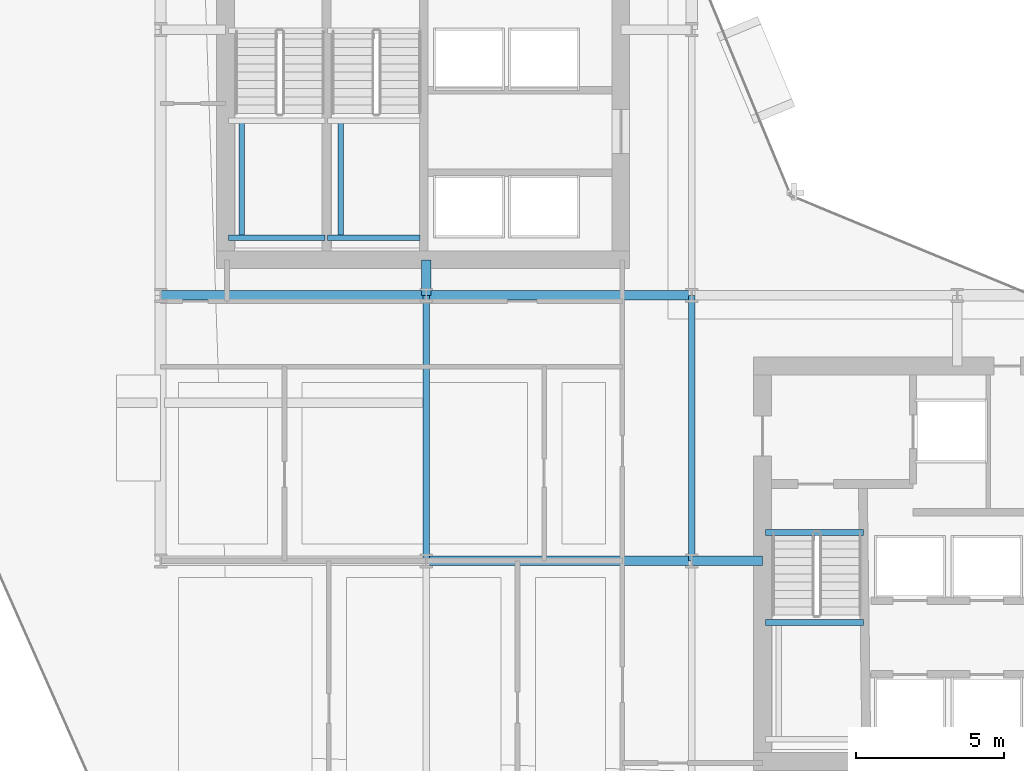
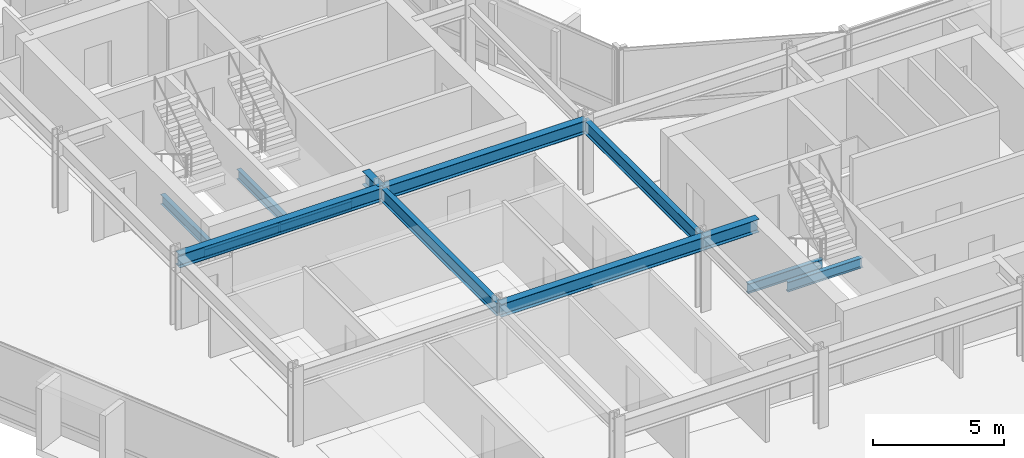
# One storey, part 7 of 34: 13 beams.
"""IFC4 building model written with IfcOpenShell, lengths in metres."""

import ifcopenshell
import ifcopenshell.guid

model = None  # the IFC model being written
_history = None  # IfcOwnerHistory: only IFC2X3 demands one
_inside = {}  # id of a spatial element -> (the spatial element, [elements in it])
_under = {}  # id of a project, library or spatial element -> (it, [spatial elements below it])
_declared = {}  # id of a project -> (the project, [libraries it declares])
_typed = {}  # id of a type object -> (the type object, [elements of that type])
_made_of = {}  # id of a material, layer set ... -> (it, [elements and type objects made of it])


def new_model(schema):
    """Start an empty IFC model of exactly this schema.

    Asked for "IFC4X3", IfcOpenShell would pick the latest addendum, in which some entities
    have other attributes; the version numbers below select the first issue.
    IFC2X3 requires an IfcOwnerHistory on every rooted entity: one is made here for all.
    """
    global model, _history
    if schema == "IFC4X3":
        model = ifcopenshell.file(schema_version=(4, 3, 0, 0))
    else:
        model = ifcopenshell.file(schema=schema)
    _inside.clear()
    _under.clear()
    _declared.clear()
    _typed.clear()
    _made_of.clear()
    _history = None
    if model.schema == "IFC2X3":
        org = make("IfcOrganization", Name="unknown")
        user = make(
            "IfcPersonAndOrganization",
            ThePerson=make("IfcPerson", FamilyName="unknown"),
            TheOrganization=org,
        )
        app = make(
            "IfcApplication",
            ApplicationDeveloper=org,
            Version="unknown",
            ApplicationFullName="unknown",
            ApplicationIdentifier="unknown",
        )
        _history = make(
            "IfcOwnerHistory",
            OwningUser=user,
            OwningApplication=app,
            ChangeAction="ADDED",
            CreationDate=0,
        )
    return model


def make(cls, **values):
    """One entity of the class cls with the attributes given. An attribute that is None is left unset."""
    return model.create_entity(
        cls, **{name: value for name, value in values.items() if value is not None}
    )


def rooted(cls, **values):
    """An entity with a GlobalId (a new one), such as an element, a storey or a relation."""
    return make(cls, GlobalId=ifcopenshell.guid.new(), OwnerHistory=_history, **values)


def si_unit(unit_type, name, prefix=None):
    """IfcSIUnit, for example si_unit("LENGTHUNIT", "METRE", prefix="MILLI")."""
    return make("IfcSIUnit", UnitType=unit_type, Prefix=prefix, Name=name)


def assignment(units):
    """IfcUnitAssignment: the units of a project."""
    return None if units is None else make("IfcUnitAssignment", Units=units)


def point(xyz):
    """IfcCartesianPoint."""
    return None if xyz is None else make("IfcCartesianPoint", Coordinates=xyz)


def direction(xyz):
    """IfcDirection."""
    return None if xyz is None else make("IfcDirection", DirectionRatios=xyz)


def frame(location, z_axis=None, x_axis=None):
    """IfcAxis2Placement3D, a coordinate frame: its origin and axes. An axis left out is left unset."""
    return make(
        "IfcAxis2Placement3D",
        Location=point(location),
        Axis=direction(z_axis),
        RefDirection=direction(x_axis),
    )


def frame_2d(location, x_axis=None):
    """IfcAxis2Placement2D, a coordinate frame in the plane: its origin and x axis."""
    return make(
        "IfcAxis2Placement2D", Location=point(location), RefDirection=direction(x_axis)
    )


def origin():
    """The frame at (0, 0, 0) with its axes left unset."""
    return frame((0.0, 0.0, 0.0))


def origin_2d():
    """The frame at (0, 0) in the plane with its x axis left unset."""
    return frame_2d((0.0, 0.0))


def place(relative_to, where):
    """IfcLocalPlacement: puts the frame where relative to a parent placement (None: the world)."""
    return make(
        "IfcLocalPlacement", PlacementRelTo=relative_to, RelativePlacement=where
    )


def context(
    kind, dimensions, precision=None, world=None, true_north=None, identifier=None
):
    """IfcGeometricRepresentationContext, for example the 3D "Model" context."""
    return make(
        "IfcGeometricRepresentationContext",
        ContextIdentifier=identifier,
        ContextType=kind,
        CoordinateSpaceDimension=dimensions,
        Precision=precision,
        WorldCoordinateSystem=world,
        TrueNorth=true_north,
    )


def subcontext(parent, identifier, kind, view, scale=None):
    """IfcGeometricRepresentationSubContext, for example "Body" below "Model"."""
    return make(
        "IfcGeometricRepresentationSubContext",
        ContextIdentifier=identifier,
        ContextType=kind,
        ParentContext=parent,
        TargetScale=scale,
        TargetView=view,
    )


def project(units=None, contexts=None):
    """IfcProject with its units and contexts."""
    return rooted(
        "IfcProject",
        Name="project",
        RepresentationContexts=contexts,
        UnitsInContext=assignment(units),
    )


def spatial(cls, under=None, at=None, **own):
    """A site, building, storey or space (cls), placed at a placement, below another one or the project."""
    s = rooted(cls, ObjectPlacement=at, **own)
    if under is not None:
        _under.setdefault(under.id(), (under, []))[1].append(s)
    return s


def profile(cls, at=None, kind="AREA", **sizes):
    """A parametric profile (cls). Its sizes go by their IFC names, for example OverallWidth=200.0."""
    return make(cls, ProfileType=kind, Position=at, **sizes)


def i_section(**sizes):
    """IfcIShapeProfileDef."""
    return profile("IfcIShapeProfileDef", **sizes)


def extrude(swept, where, along, depth):
    """IfcExtrudedAreaSolid: the profile swept, set in the frame where, extruded along a direction by depth."""
    return make(
        "IfcExtrudedAreaSolid",
        SweptArea=swept,
        Position=where,
        ExtrudedDirection=direction(along),
        Depth=depth,
    )


def shape(context_of_items, identifier, shape_type, items):
    """IfcShapeRepresentation: the items that make up one representation, for example the "Body"."""
    return make(
        "IfcShapeRepresentation",
        ContextOfItems=context_of_items,
        RepresentationIdentifier=identifier,
        RepresentationType=shape_type,
        Items=items,
    )


def material(Name=None, Category=None):
    """IfcMaterial."""
    return make("IfcMaterial", Name=Name, Category=Category)


def material_profile(
    of_material, cross_section, Name=None, Category=None, Priority=None
):
    """IfcMaterialProfile: a cross section and its material."""
    return make(
        "IfcMaterialProfile",
        Name=Name,
        Material=of_material,
        Profile=cross_section,
        Priority=Priority,
        Category=Category,
    )


def profile_set(profiles, Name=None, composite=None):
    """IfcMaterialProfileSet."""
    return make(
        "IfcMaterialProfileSet",
        Name=Name,
        MaterialProfiles=profiles,
        CompositeProfile=composite,
    )


def made_of(thing, what):
    """Note that an element or type object is made of a material, layer set ...; save() writes the relation."""
    if what is not None:
        _made_of.setdefault(what.id(), (what, []))[1].append(thing)
    return thing


def type_object(cls, material=None, **own):
    """A type object (cls), such as IfcWallType, which elements share."""
    return made_of(rooted(cls, **own), material)


def element(
    cls,
    number,
    at=None,
    inside=None,
    cuts=None,
    type_object=None,
    material=None,
    context=None,
    identifier="Body",
    shape_type=None,
    held_by="IfcProductDefinitionShape",
    body=None,
    shapes=None,
    **own,
):
    """One element of the class cls, such as IfcWall. Its Tag is "e" and its number.

    at: its placement. inside: the storey or other place that contains it. cuts: it is an
    opening in that element (IfcRelVoidsElement). A single representation is given by context,
    identifier, shape_type and body (its items); several are given by shapes. held_by: the class
    of the entity that holds the representations. save() writes the other relations.
    """
    e = rooted(cls, Tag="e%d" % number, ObjectPlacement=at, **own)
    if body is not None:
        shapes = [shape(context, identifier, shape_type, body)]
    if shapes is not None:
        e.Representation = make(held_by, Representations=shapes)
    if inside is not None:
        _inside.setdefault(inside.id(), (inside, []))[1].append(e)
    if cuts is not None:
        rooted(
            "IfcRelVoidsElement", RelatingBuildingElement=cuts, RelatedOpeningElement=e
        )
    if type_object is not None:
        _typed.setdefault(type_object.id(), (type_object, []))[1].append(e)
    return made_of(e, material)


def aggregate(whole, parts):
    """IfcRelAggregates: a whole, such as a stair, and the parts it consists of."""
    return rooted("IfcRelAggregates", RelatingObject=whole, RelatedObjects=parts)


def save(model, path):
    """Write the relations noted so far, then the file.

    IfcRelAggregates (storeys below a building ...), IfcRelContainedInSpatialStructure (elements
    in a storey), IfcRelDefinesByType, IfcRelAssociatesMaterial and IfcRelDeclares: one each for
    every whole, place, type object, material and project.
    """
    for whole, parts in _under.values():
        aggregate(whole, parts)
    for where, things in _inside.values():
        rooted(
            "IfcRelContainedInSpatialStructure",
            RelatedElements=things,
            RelatingStructure=where,
        )
    for kind, things in _typed.values():
        rooted("IfcRelDefinesByType", RelatedObjects=things, RelatingType=kind)
    for what, things in _made_of.values():
        rooted("IfcRelAssociatesMaterial", RelatedObjects=things, RelatingMaterial=what)
    for by, libraries in _declared.values():
        rooted("IfcRelDeclares", RelatingContext=by, RelatedDefinitions=libraries)
    model.write(path)


model = new_model("IFC4")

# Units and contexts
model_context = context("Model", 3, precision=1e-05, world=origin(), true_north=direction((0.0, 1.0)))
body_context = subcontext(model_context, "Body", "Model", "MODEL_VIEW")
ifc_project = project(units=[si_unit("LENGTHUNIT", "METRE"), si_unit("AREAUNIT", "SQUARE_METRE"), si_unit("VOLUMEUNIT", "CUBIC_METRE"), si_unit("PLANEANGLEUNIT", "RADIAN"), si_unit("MASSUNIT", "GRAM", prefix="KILO")], contexts=[model_context])

# Site, building, storey
site_placement = place(None, origin())
site = spatial("IfcSite", under=ifc_project, at=site_placement, CompositionType="ELEMENT")
building_placement = place(site_placement, origin())
building = spatial("IfcBuilding", under=site, at=building_placement, Name="Solvaryn Broadcast Tower", CompositionType="ELEMENT")
storey_placement = place(building_placement, frame((0.0, 0.0, 73.0)))
storey = spatial("IfcBuildingStorey", under=building, at=storey_placement, Name="L17", CompositionType="ELEMENT", Elevation=73.0)

# Beams
ifc_material_1 = material(Name="Steel ASTM A992 Grade 50", Category="steel")
ifc_material_profile_1 = material_profile(ifc_material_1, i_section(OverallWidth=0.323974609375, OverallDepth=0.611083984375, WebThickness=0.0126953125, FlangeThickness=0.01904296875, FilletRadius=0.014892578125, at=origin_2d()))
ifc_profile_set_1 = profile_set([ifc_material_profile_1], Name="Steel ASTM A992 Grade 50")
beam_type_1 = type_object("IfcBeamType", Name="BM-B1-W24X104", PredefinedType="BEAM", material=ifc_profile_set_1)
for number, where, z_axis, x_axis, name in (
    (1, (18.0, 18.0, 3.114501953125), (1.0, 0.0, 0.0), (0.0, 1.0, 0.0), "L17 Primary Beam X (18-27 @ Y=18)"),
    (2, (9.0, 27.0, 3.114501953125), (1.0, 0.0, 0.0), (0.0, 1.0, 0.0), "L17 Primary Beam X (9-18 @ Y=27)"),
    (3, (18.0, 27.0, 3.114501953125), (1.0, 0.0, 0.0), (0.0, 1.0, 0.0), "L17 Primary Beam X (18-27 @ Y=27)"),
):
    element("IfcBeam", number, at=place(storey_placement, frame(where, z_axis=z_axis, x_axis=x_axis)), inside=storey, type_object=beam_type_1, Name=name, PredefinedType="BEAM", context=body_context, shape_type="SweptSolid", body=[
        extrude(i_section(OverallWidth=0.323974609375, OverallDepth=0.611083984375, WebThickness=0.0126953125, FlangeThickness=0.01904296875, FilletRadius=0.014892578125, at=origin_2d()), origin(), (0.0, 0.0, 1.0), 9.0),
    ])
beam_1_placement = place(storey_placement, frame((18.0, 27.0, 3.114501953125), z_axis=(0.0, 1.0, 0.0), x_axis=(-1.0, 0.0, 0.0)))
element("IfcBeam", 4, at=beam_1_placement, inside=storey, type_object=beam_type_1, Name="L17 Core Tie Beam CTW4", PredefinedType="BEAM", context=body_context, shape_type="SweptSolid", body=[
    extrude(i_section(OverallWidth=0.323974609375, OverallDepth=0.611083984375, WebThickness=0.0126953125, FlangeThickness=0.01904296875, FilletRadius=0.014892578125, at=origin_2d()), origin(), (0.0, 0.0, 1.0), 1.199951171875),
])
beam_2_placement = place(storey_placement, frame((27.0, 18.0, 3.114501953125), z_axis=(1.0, 0.0, 0.0), x_axis=(0.0, 1.0, 0.0)))
element("IfcBeam", 5, at=beam_2_placement, inside=storey, type_object=beam_type_1, Name="L17 Core Tie Beam CTE4", PredefinedType="BEAM", context=body_context, shape_type="SweptSolid", body=[
    extrude(i_section(OverallWidth=0.323974609375, OverallDepth=0.611083984375, WebThickness=0.0126953125, FlangeThickness=0.01904296875, FilletRadius=0.014892578125, at=origin_2d()), origin(), (0.0, 0.0, 1.0), 2.39990234375),
])
ifc_material_2 = material(Name="Steel ASTM A992 Grade 50", Category="steel")
ifc_material_profile_2 = material_profile(ifc_material_2, i_section(OverallWidth=0.22802734375, OverallDepth=0.60791015625, WebThickness=0.01123046875, FlangeThickness=0.017333984375, FilletRadius=0.014892578125, at=origin_2d()))
ifc_profile_set_2 = profile_set([ifc_material_profile_2], Name="Steel ASTM A992 Grade 50")
beam_type_2 = type_object("IfcBeamType", Name="BM-B2-W24X76", PredefinedType="BEAM", material=ifc_profile_set_2)
for number, where, z_axis, x_axis, name in (
    (6, (18.0, 18.0, 3.115966796875), (0.0, 1.0, 0.0), (-1.0, 0.0, 0.0), "L17 Primary Beam Y (18-27 @ X=18)"),
    (7, (27.0, 18.0, 3.115966796875), (0.0, 1.0, 0.0), (-1.0, 0.0, 0.0), "L17 Primary Beam Y (18-27 @ X=27)"),
):
    element("IfcBeam", number, at=place(storey_placement, frame(where, z_axis=z_axis, x_axis=x_axis)), inside=storey, type_object=beam_type_2, Name=name, PredefinedType="BEAM", context=body_context, shape_type="SweptSolid", body=[
        extrude(i_section(OverallWidth=0.22802734375, OverallDepth=0.60791015625, WebThickness=0.01123046875, FlangeThickness=0.017333984375, FilletRadius=0.014892578125, at=origin_2d()), origin(), (0.0, 0.0, 1.0), 9.0),
    ])
ifc_material_3 = material(Name="Steel ASTM A992 Grade 50", Category="steel")
ifc_material_profile_3 = material_profile(ifc_material_3, i_section(OverallWidth=0.18994140625, OverallDepth=0.45703125, WebThickness=0.009033203125, FlangeThickness=0.014404296875, FilletRadius=0.011962890625, at=origin_2d()))
ifc_profile_set_3 = profile_set([ifc_material_profile_3], Name="Steel ASTM A992 Grade 50")
beam_type_3 = type_object("IfcBeamType", Name="BM-B4-W18X50", PredefinedType="BEAM", material=ifc_profile_set_3)
beam_3_placement = place(storey_placement, frame((11.300048828125, 28.949951171875, 1.42138671875), z_axis=(1.0, 0.0, 0.0), x_axis=(0.0, 1.0, 0.0)))
element("IfcBeam", 8, at=beam_3_placement, inside=storey, type_object=beam_type_3, Name="L17 ST1 Landing Support Beam 1A", PredefinedType="BEAM", context=body_context, shape_type="SweptSolid", body=[
    extrude(i_section(OverallWidth=0.18994140625, OverallDepth=0.45703125, WebThickness=0.009033203125, FlangeThickness=0.014404296875, FilletRadius=0.011962890625, at=origin_2d()), origin(), (0.0, 0.0, 1.0), 3.280029296875),
])
beam_4_placement = place(storey_placement, frame((11.75, 28.949951171875, 1.42138671875), z_axis=(0.0, 1.0, 0.0), x_axis=(-1.0, 0.0, 0.0)))
element("IfcBeam", 9, at=beam_4_placement, inside=storey, type_object=beam_type_3, Name="L17 ST1 Landing Cross Stringer 1C", PredefinedType="BEAM", context=body_context, shape_type="SweptSolid", body=[
    extrude(i_section(OverallWidth=0.18994140625, OverallDepth=0.45703125, WebThickness=0.009033203125, FlangeThickness=0.014404296875, FilletRadius=0.011962890625, at=origin_2d()), origin(), (0.0, 0.0, 1.0), 3.9599609375),
])
beam_5_placement = place(storey_placement, frame((14.659912109375, 28.949951171875, 1.42138671875), z_axis=(1.0, 0.0, 0.0), x_axis=(0.0, 1.0, 0.0)))
element("IfcBeam", 10, at=beam_5_placement, inside=storey, type_object=beam_type_3, Name="L17 ST2 Landing Support Beam 1A", PredefinedType="BEAM", context=body_context, shape_type="SweptSolid", body=[
    extrude(i_section(OverallWidth=0.18994140625, OverallDepth=0.45703125, WebThickness=0.009033203125, FlangeThickness=0.014404296875, FilletRadius=0.011962890625, at=origin_2d()), origin(), (0.0, 0.0, 1.0), 3.14013671875),
])
beam_6_placement = place(storey_placement, frame((15.110107421875, 28.949951171875, 1.42138671875), z_axis=(0.0, 1.0, 0.0), x_axis=(-1.0, 0.0, 0.0)))
element("IfcBeam", 11, at=beam_6_placement, inside=storey, type_object=beam_type_3, Name="L17 ST2 Landing Cross Stringer 1C", PredefinedType="BEAM", context=body_context, shape_type="SweptSolid", body=[
    extrude(i_section(OverallWidth=0.18994140625, OverallDepth=0.45703125, WebThickness=0.009033203125, FlangeThickness=0.014404296875, FilletRadius=0.011962890625, at=origin_2d()), origin(), (0.0, 0.0, 1.0), 3.9599609375),
])
for number, where, z_axis, x_axis, name in (
    (12, (29.5, 18.9599609375, -0.508544921875), (1.0, 0.0, 0.0), (0.0, 1.0, 0.0), "L17 ST3 Stair Well Trimmer Beam"),
    (13, (29.5, 15.909912109375, 1.42138671875), (1.0, 0.0, 0.0), (0.0, 1.0, 0.0), "L17 ST3 Landing Support Beam 1B"),
):
    element("IfcBeam", number, at=place(storey_placement, frame(where, z_axis=z_axis, x_axis=x_axis)), inside=storey, type_object=beam_type_3, Name=name, PredefinedType="BEAM", context=body_context, shape_type="SweptSolid", body=[
        extrude(i_section(OverallWidth=0.18994140625, OverallDepth=0.45703125, WebThickness=0.009033203125, FlangeThickness=0.014404296875, FilletRadius=0.011962890625, at=origin_2d()), origin(), (0.0, 0.0, 1.0), 3.320068359375),
    ])

save(model, "model.ifc")
